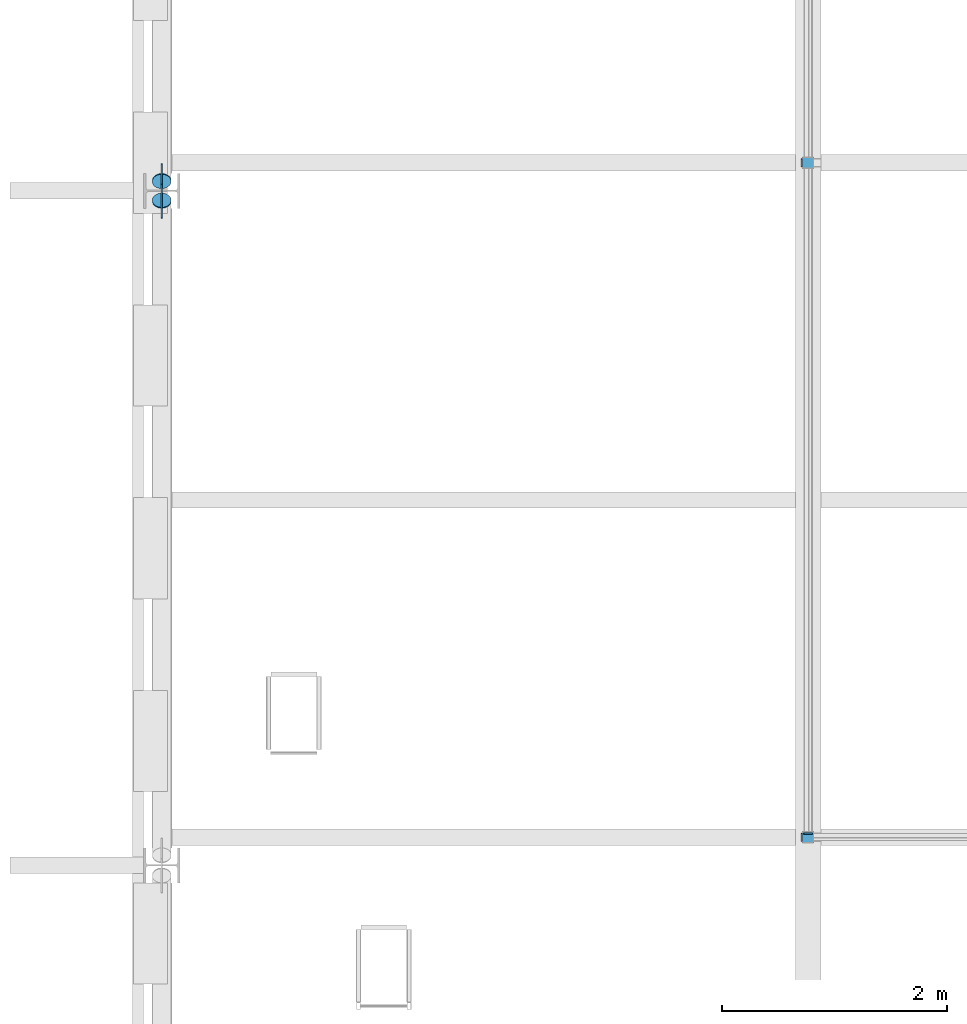
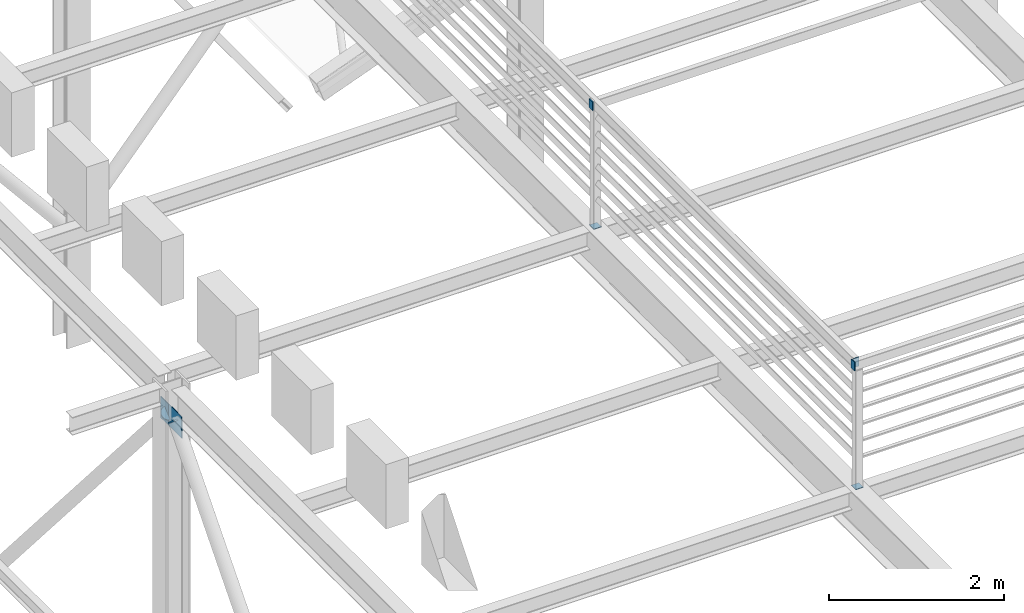
# One storey, part 38 of 57: 9 discrete accessories.
"""IFC4 building model written with IfcOpenShell, lengths in metres."""

from ifc_helpers import new_model, si_unit, direction, frame, origin, origin_2d, place, context, subcontext, project, spatial, rectangle, circle, extrude, material, material_profile, profile_set, type_object, element, save


model = new_model("IFC4")

# Units and contexts
model_context = context("Model", 3, precision=1e-05, world=origin(), true_north=direction((0.0, 1.0)))
body_context = subcontext(model_context, "Body", "Model", "MODEL_VIEW")
ifc_project = project(units=[si_unit("LENGTHUNIT", "METRE"), si_unit("AREAUNIT", "SQUARE_METRE"), si_unit("VOLUMEUNIT", "CUBIC_METRE"), si_unit("PLANEANGLEUNIT", "RADIAN"), si_unit("MASSUNIT", "GRAM", prefix="KILO")], contexts=[model_context])

# Site, building, storey
site_placement = place(None, origin())
site = spatial("IfcSite", under=ifc_project, at=site_placement, CompositionType="ELEMENT")
building_placement = place(site_placement, origin())
building = spatial("IfcBuilding", under=site, at=building_placement, Name="Saffron Lane Theatres", CompositionType="ELEMENT")
storey_placement = place(building_placement, frame((0.0, 0.0, 28.0)))
storey = spatial("IfcBuildingStorey", under=building, at=storey_placement, Name="Upper Roof", CompositionType="ELEMENT", Elevation=28.0)

# Discrete accessories
ifc_material_1 = material(Name="Steel Grade 350", Category="steel")
ifc_material_profile_1 = material_profile(ifc_material_1, rectangle(XDim=0.300048828125, YDim=0.300048828125, at=origin_2d()))
ifc_profile_set_1 = profile_set([ifc_material_profile_1], Name="Steel Grade 350")
discrete_accessory_type_1 = type_object("IfcDiscreteAccessoryType", Name="ST-GUSSET CONNECTION PLATE", PredefinedType="BRACKET", material=ifc_profile_set_1)
for number, where, z_axis, x_axis, name in (
    (1, (18.2451171875, 41.908447265625, 8.338134765625), (1.0, 0.0, 0.0), (0.0, 1.0, 0.0), "GB144"),
    (2, (18.2451171875, 42.091552734375, 8.338134765625), (1.0, 0.0, 0.0), (0.0, 1.0, 0.0), "GB148"),
):
    element("IfcDiscreteAccessory", number, at=place(storey_placement, frame(where, z_axis=z_axis, x_axis=x_axis)), inside=storey, type_object=discrete_accessory_type_1, Name=name, PredefinedType="BRACKET", context=body_context, shape_type="SweptSolid", body=[
        extrude(rectangle(XDim=0.300048828125, YDim=0.300048828125, at=origin_2d()), origin(), (0.0, 0.0, 1.0), 0.009765625),
    ])
ifc_material_2 = material(Name="Steel Grade 350", Category="steel")
ifc_material_profile_2 = material_profile(ifc_material_2, rectangle(XDim=0.10009765625, YDim=0.10009765625, at=origin_2d()))
ifc_profile_set_2 = profile_set([ifc_material_profile_2], Name="Steel Grade 350")
discrete_accessory_type_2 = type_object("IfcDiscreteAccessoryType", Name="ST-STEEL END CAP 100x100x6 SHS", PredefinedType="ANCHORPLATE", material=ifc_profile_set_2)
for number, where, z_axis, x_axis, name in (
    (3, (24.0, 36.25, 8.837890625), (0.0, 0.0, 1.0), (1.0, 0.0, 0.0), "EC115"),
    (4, (24.0, 42.25, 8.837890625), (0.0, 0.0, 1.0), (1.0, 0.0, 0.0), "EC116"),
):
    element("IfcDiscreteAccessory", number, at=place(storey_placement, frame(where, z_axis=z_axis, x_axis=x_axis)), inside=storey, type_object=discrete_accessory_type_2, Name=name, PredefinedType="ANCHORPLATE", context=body_context, shape_type="SweptSolid", body=[
        extrude(rectangle(XDim=0.10009765625, YDim=0.10009765625, at=origin_2d()), origin(), (0.0, 0.0, 1.0), 0.01220703125),
    ])
ifc_material_3 = material(Name="Steel Grade 350", Category="steel")
ifc_material_profile_3 = material_profile(ifc_material_3, rectangle(XDim=0.074951171875, YDim=0.125, at=origin_2d()))
ifc_profile_set_3 = profile_set([ifc_material_profile_3], Name="Steel Grade 350")
discrete_accessory_type_3 = type_object("IfcDiscreteAccessoryType", Name="ST-STEEL END CAP 125x75x5 RHS", PredefinedType="ANCHORPLATE", material=ifc_profile_set_3)
for number, where, z_axis, x_axis, name in (
    (5, (23.93798828125, 36.25, 10.5625), (1.0, 0.0, 0.0), (0.0, 1.0, 0.0), "EC127"),
    (6, (23.93798828125, 42.25, 10.5625), (1.0, 0.0, 0.0), (0.0, 1.0, 0.0), "EC129"),
):
    element("IfcDiscreteAccessory", number, at=place(storey_placement, frame(where, z_axis=z_axis, x_axis=x_axis)), inside=storey, type_object=discrete_accessory_type_3, Name=name, PredefinedType="ANCHORPLATE", context=body_context, shape_type="SweptSolid", body=[
        extrude(rectangle(XDim=0.074951171875, YDim=0.125, at=origin_2d()), origin(), (0.0, 0.0, 1.0), 0.011962890625),
    ])
discrete_accessory_placement = place(storey_placement, frame((24.0, 36.275390625, 10.5625), z_axis=(0.0, 1.0, 0.0), x_axis=(-1.0, 0.0, 0.0)))
element("IfcDiscreteAccessory", 7, at=discrete_accessory_placement, inside=storey, type_object=discrete_accessory_type_3, Name="EC133", PredefinedType="ANCHORPLATE", context=body_context, shape_type="SweptSolid", body=[
    extrude(rectangle(XDim=0.074951171875, YDim=0.125, at=origin_2d()), origin(), (0.0, 0.0, 1.0), 0.01220703125),
])
ifc_material_4 = material(Name="Steel Grade 350", Category="steel")
ifc_material_profile_4 = material_profile(ifc_material_4, circle(Radius=0.084228515625, at=origin_2d()))
ifc_profile_set_4 = profile_set([ifc_material_profile_4], Name="Steel Grade 350")
discrete_accessory_type_4 = type_object("IfcDiscreteAccessoryType", Name="ST-STEEL END CAP 168.3x6.4 CHS", PredefinedType="ANCHORPLATE", material=ifc_profile_set_4)
for number, where, z_axis, x_axis, name in (
    (8, (18.25, 41.908447265625, 8.338134765625), (0.0, 0.654151932932, 0.756363172452), (-1.0, 0.0, 0.0), "EC90"),
    (9, (18.25, 42.091552734375, 8.338134765625), (0.0, -0.654151932932, 0.756363172452), (1.0, 0.0, 0.0), "EC94"),
):
    element("IfcDiscreteAccessory", number, at=place(storey_placement, frame(where, z_axis=z_axis, x_axis=x_axis)), inside=storey, type_object=discrete_accessory_type_4, Name=name, PredefinedType="ANCHORPLATE", context=body_context, shape_type="SweptSolid", body=[
        extrude(circle(Radius=0.084228515625, at=origin_2d()), origin(), (0.0, 0.0, 1.0), 0.011962890625),
    ])

save(model, "model.ifc")
